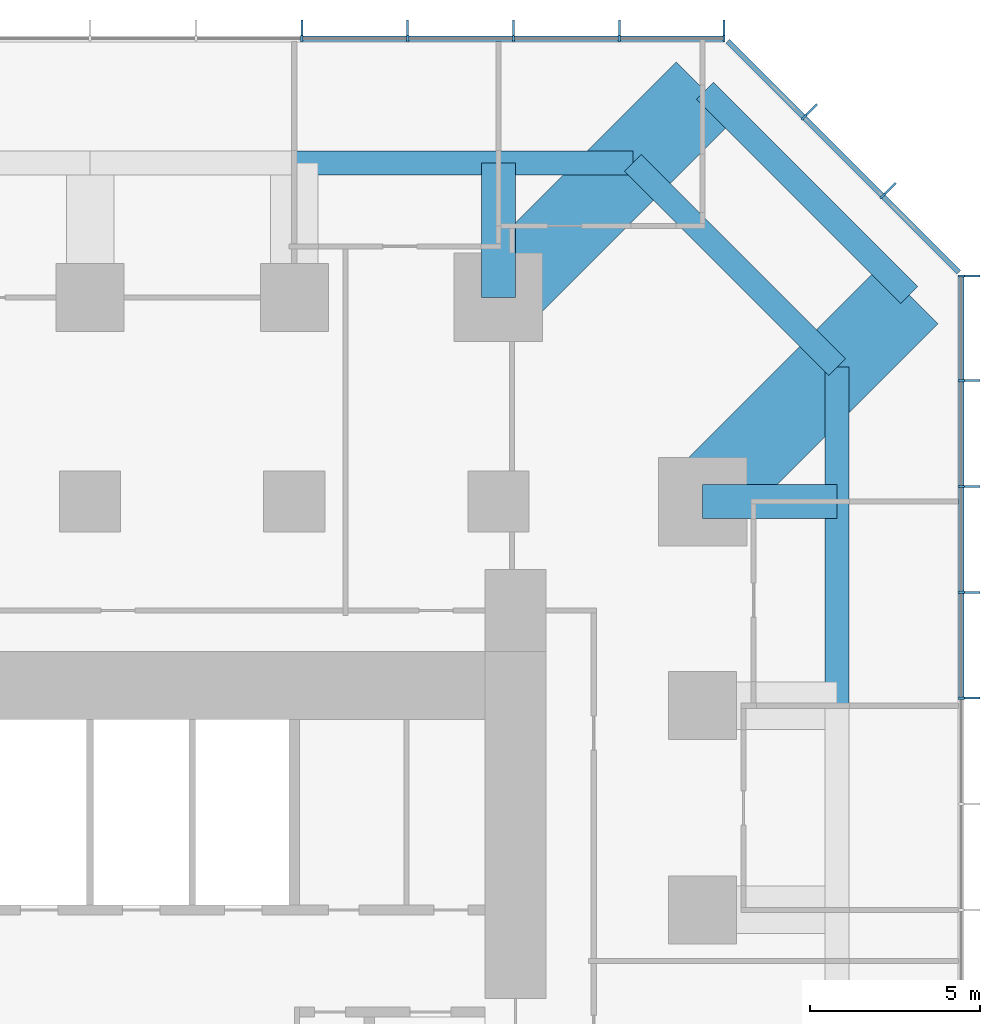
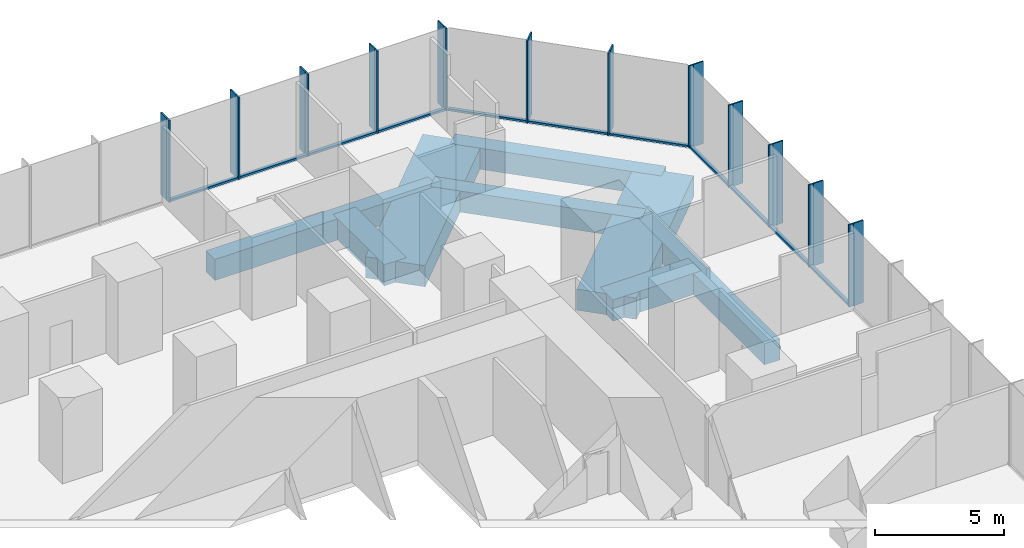
# One storey, part 6 of 12: 35 members, 8 beams, 3 elements without a shape of their own.
"""IFC4 building model written with IfcOpenShell, lengths in metres."""

from ifc_helpers import new_model, si_unit, direction, frame, origin, origin_2d, place, context, subcontext, project, spatial, rectangle, extrude, material, layer, layer_set, material_profile, profile_set, type_object, element, aggregate, save


model = new_model("IFC4")

# Units and contexts
model_context = context("Model", 3, precision=1e-05, world=origin(), true_north=direction((0.0, 1.0)))
body_context = subcontext(model_context, "Body", "Model", "MODEL_VIEW")
ifc_project = project(units=[si_unit("LENGTHUNIT", "METRE"), si_unit("AREAUNIT", "SQUARE_METRE"), si_unit("VOLUMEUNIT", "CUBIC_METRE"), si_unit("PLANEANGLEUNIT", "RADIAN"), si_unit("MASSUNIT", "GRAM", prefix="KILO")], contexts=[model_context])

# Site, building, storey
site_placement = place(None, origin())
site = spatial("IfcSite", under=ifc_project, at=site_placement, CompositionType="ELEMENT")
building_placement = place(site_placement, origin())
building = spatial("IfcBuilding", under=site, at=building_placement, Name="Highveld Stack Headquarters", CompositionType="ELEMENT")
storey_placement = place(building_placement, frame((0.0, 0.0, 72.800048828125)))
storey = spatial("IfcBuildingStorey", under=building, at=storey_placement, Name="L17", CompositionType="ELEMENT", Elevation=72.800048828125)

# Beams
ifc_material_1 = material(Name="Concrete C60/75", Category="concrete")
ifc_material_profile_1 = material_profile(ifc_material_1, rectangle(XDim=1.0, YDim=1.0, at=origin_2d()), Name="RC 1000x1000")
ifc_profile_set_1 = profile_set([ifc_material_profile_1], Name="Concrete C60/75")
beam_type_1 = type_object("IfcBeamType", Name="CANTILEVER RIB RC 1000x1000", PredefinedType="USERDEFINED", material=ifc_profile_set_1)
for number, where, z_axis, x_axis, name in (
    (1, (18.0, 24.0, -0.75), (0.0, 1.0, 0.0), (-1.0, 0.0, 0.0), "Cantilever rib 9/J L17"),
    (2, (24.0, 18.0, -0.75), (1.0, 0.0, 0.0), (0.0, 1.0, 0.0), "Cantilever rib 10/H L17"),
):
    element("IfcBeam", number, at=place(storey_placement, frame(where, z_axis=z_axis, x_axis=x_axis)), inside=storey, type_object=beam_type_1, Name=name, ObjectType="CANTILEVER RIB", PredefinedType="USERDEFINED", context=body_context, shape_type="SweptSolid", body=[
        extrude(rectangle(XDim=1.0, YDim=1.0, at=origin_2d()), origin(), (0.0, 0.0, 1.0), 3.949951171875),
    ])
ifc_material_2 = material(Name="Concrete C60/75", Category="concrete")
ifc_material_profile_2 = material_profile(ifc_material_2, rectangle(XDim=2.39990234375, YDim=1.0, at=origin_2d()), Name="RC 2400x1000")
ifc_profile_set_2 = profile_set([ifc_material_profile_2], Name="Concrete C60/75")
beam_type_2 = type_object("IfcBeamType", Name="CANTILEVER RIB RC 2400x1000", PredefinedType="USERDEFINED", material=ifc_profile_set_2)
for number, where, z_axis, x_axis, name in (
    (3, (18.0, 24.0, -0.75), (0.707106781187, 0.707106781187, 0.0), (-0.707106781187, 0.707106781187, 0.0), "Cantilever rib 9/J L17"),
    (4, (24.0, 18.0, -0.75), (0.707106781187, 0.707106781187, 0.0), (-0.707106781187, 0.707106781187, 0.0), "Cantilever rib 10/H L17"),
):
    element("IfcBeam", number, at=place(storey_placement, frame(where, z_axis=z_axis, x_axis=x_axis)), inside=storey, type_object=beam_type_2, Name=name, ObjectType="CANTILEVER RIB", PredefinedType="USERDEFINED", context=body_context, shape_type="SweptSolid", body=[
        extrude(rectangle(XDim=2.39990234375, YDim=1.0, at=origin_2d()), origin(), (0.0, 0.0, 1.0), 8.585693359375),
    ])

# Curtain wall, members
ifc_material_3 = material(Name="Aluminium bronze anodised", Category="aluminium")
ifc_layer_1 = layer(ifc_material_3, 0.199951171875)
ifc_layer_set_1 = layer_set([ifc_layer_1], Name="Aluminium bronze anodised")
curtain_wall_type_1 = type_object("IfcCurtainWallType", Name="CW1 TOWER UNITISED CURTAIN WALL", PredefinedType="NOTDEFINED", material=ifc_layer_set_1)
curtain_wall_1_placement = place(storey_placement, origin())
curtain_wall_1 = element("IfcCurtainWall", 5, at=curtain_wall_1_placement, inside=storey, type_object=curtain_wall_type_1, Name="Curtain wall CW1 L17 E", PredefinedType="NOTDEFINED")
ifc_material_4 = material(Name="Aluminium bronze anodised", Category="aluminium")
ifc_material_profile_3 = material_profile(ifc_material_4, rectangle(XDim=0.449951171875, YDim=0.06005859375, at=origin_2d()), Name="FIN 450x60")
ifc_profile_set_3 = profile_set([ifc_material_profile_3], Name="Aluminium bronze anodised")
member_type_1 = type_object("IfcMemberType", Name="CW1 BRONZE FIN 450x60", PredefinedType="USERDEFINED", material=ifc_profile_set_3)
member_1_placement = place(storey_placement, frame((31.925048828125, 12.220947265625, 0.0), z_axis=(0.0, 0.0, 1.0), x_axis=(-1.0, 0.0, 0.0)))
member_1 = element("IfcMember", 6, at=member_1_placement, type_object=member_type_1, Name="CW1 fin L17 9", ObjectType="FIN", PredefinedType="USERDEFINED", context=body_context, shape_type="SweptSolid", body=[
    extrude(rectangle(XDim=0.449951171875, YDim=0.06005859375, at=origin_2d()), origin(), (0.0, 0.0, 1.0), 3.89990234375),
])
member_2_placement = place(storey_placement, frame((31.925048828125, 15.331298828125, 0.0), z_axis=(0.0, 0.0, 1.0), x_axis=(-1.0, 0.0, 0.0)))
member_2 = element("IfcMember", 7, at=member_2_placement, type_object=member_type_1, Name="CW1 fin L17 10", ObjectType="FIN", PredefinedType="USERDEFINED", context=body_context, shape_type="SweptSolid", body=[
    extrude(rectangle(XDim=0.449951171875, YDim=0.06005859375, at=origin_2d()), origin(), (0.0, 0.0, 1.0), 3.89990234375),
])
member_3_placement = place(storey_placement, frame((31.925048828125, 18.44189453125, 0.0), z_axis=(0.0, 0.0, 1.0), x_axis=(-1.0, 0.0, 0.0)))
member_3 = element("IfcMember", 8, at=member_3_placement, type_object=member_type_1, Name="CW1 fin L17 11", ObjectType="FIN", PredefinedType="USERDEFINED", context=body_context, shape_type="SweptSolid", body=[
    extrude(rectangle(XDim=0.449951171875, YDim=0.06005859375, at=origin_2d()), origin(), (0.0, 0.0, 1.0), 3.89990234375),
])
member_4_placement = place(storey_placement, frame((31.925048828125, 21.55224609375, 0.0), z_axis=(0.0, 0.0, 1.0), x_axis=(-1.0, 0.0, 0.0)))
member_4 = element("IfcMember", 9, at=member_4_placement, type_object=member_type_1, Name="CW1 fin L17 12", ObjectType="FIN", PredefinedType="USERDEFINED", context=body_context, shape_type="SweptSolid", body=[
    extrude(rectangle(XDim=0.449951171875, YDim=0.06005859375, at=origin_2d()), origin(), (0.0, 0.0, 1.0), 3.89990234375),
])
member_5_placement = place(storey_placement, frame((31.925048828125, 24.630126953125, 0.0), z_axis=(0.0, 0.0, 1.0), x_axis=(-1.0, 0.0, 0.0)))
member_5 = element("IfcMember", 10, at=member_5_placement, type_object=member_type_1, Name="CW1 fin L17 13", ObjectType="FIN", PredefinedType="USERDEFINED", context=body_context, shape_type="SweptSolid", body=[
    extrude(rectangle(XDim=0.449951171875, YDim=0.06005859375, at=origin_2d()), origin(), (0.0, 0.0, 1.0), 3.89990234375),
])

curtain_wall_2_placement = place(storey_placement, origin())
curtain_wall_2 = element("IfcCurtainWall", 11, at=curtain_wall_2_placement, inside=storey, type_object=curtain_wall_type_1, Name="Curtain wall CW1 L17 N", PredefinedType="NOTDEFINED")
member_6_placement = place(storey_placement, frame((24.630126953125, 31.925048828125, 0.0), z_axis=(0.0, 0.0, 1.0), x_axis=(0.0, -1.0, 0.0)))
member_6 = element("IfcMember", 12, at=member_6_placement, type_object=member_type_1, Name="CW1 fin L17 1", ObjectType="FIN", PredefinedType="USERDEFINED", context=body_context, shape_type="SweptSolid", body=[
    extrude(rectangle(XDim=0.449951171875, YDim=0.06005859375, at=origin_2d()), origin(), (0.0, 0.0, 1.0), 3.89990234375),
])
member_7_placement = place(storey_placement, frame((21.55224609375, 31.925048828125, 0.0), z_axis=(0.0, 0.0, 1.0), x_axis=(0.0, -1.0, 0.0)))
member_7 = element("IfcMember", 13, at=member_7_placement, type_object=member_type_1, Name="CW1 fin L17 2", ObjectType="FIN", PredefinedType="USERDEFINED", context=body_context, shape_type="SweptSolid", body=[
    extrude(rectangle(XDim=0.449951171875, YDim=0.06005859375, at=origin_2d()), origin(), (0.0, 0.0, 1.0), 3.89990234375),
])
member_8_placement = place(storey_placement, frame((18.44189453125, 31.925048828125, 0.0), z_axis=(0.0, 0.0, 1.0), x_axis=(0.0, -1.0, 0.0)))
member_8 = element("IfcMember", 14, at=member_8_placement, type_object=member_type_1, Name="CW1 fin L17 3", ObjectType="FIN", PredefinedType="USERDEFINED", context=body_context, shape_type="SweptSolid", body=[
    extrude(rectangle(XDim=0.449951171875, YDim=0.06005859375, at=origin_2d()), origin(), (0.0, 0.0, 1.0), 3.89990234375),
])
member_9_placement = place(storey_placement, frame((15.331298828125, 31.925048828125, 0.0), z_axis=(0.0, 0.0, 1.0), x_axis=(0.0, -1.0, 0.0)))
member_9 = element("IfcMember", 15, at=member_9_placement, type_object=member_type_1, Name="CW1 fin L17 4", ObjectType="FIN", PredefinedType="USERDEFINED", context=body_context, shape_type="SweptSolid", body=[
    extrude(rectangle(XDim=0.449951171875, YDim=0.06005859375, at=origin_2d()), origin(), (0.0, 0.0, 1.0), 3.89990234375),
])
member_10_placement = place(storey_placement, frame((12.220947265625, 31.925048828125, 0.0), z_axis=(0.0, 0.0, 1.0), x_axis=(0.0, -1.0, 0.0)))
member_10 = element("IfcMember", 16, at=member_10_placement, type_object=member_type_1, Name="CW1 fin L17 5", ObjectType="FIN", PredefinedType="USERDEFINED", context=body_context, shape_type="SweptSolid", body=[
    extrude(rectangle(XDim=0.449951171875, YDim=0.06005859375, at=origin_2d()), origin(), (0.0, 0.0, 1.0), 3.89990234375),
])

# Member
ifc_material_5 = material(Name="Aluminium bronze anodised", Category="aluminium")
ifc_material_profile_4 = material_profile(ifc_material_5, rectangle(XDim=0.199951171875, YDim=0.06494140625, at=origin_2d()), Name="CW1 MULLION 65x200")
ifc_profile_set_4 = profile_set([ifc_material_profile_4], Name="Aluminium bronze anodised")
member_type_2 = type_object("IfcMemberType", Name="CW1 MULLION 65x200", PredefinedType="MULLION", material=ifc_profile_set_4)
member_11_placement = place(storey_placement, frame((31.60009765625, 12.220947265625, 0.0), z_axis=(0.0, 0.0, 1.0), x_axis=(-1.0, 0.0, 0.0)))
member_11 = element("IfcMember", 17, at=member_11_placement, type_object=member_type_2, Name="CW1 mullion L17 9", PredefinedType="MULLION", context=body_context, shape_type="SweptSolid", body=[
    extrude(rectangle(XDim=0.199951171875, YDim=0.06494140625, at=origin_2d()), origin(), (0.0, 0.0, 1.0), 3.89990234375),
])

member_12_placement = place(storey_placement, frame((31.60009765625, 15.331298828125, 0.0), z_axis=(0.0, 0.0, 1.0), x_axis=(-1.0, 0.0, 0.0)))
member_12 = element("IfcMember", 18, at=member_12_placement, type_object=member_type_2, Name="CW1 mullion L17 10", PredefinedType="MULLION", context=body_context, shape_type="SweptSolid", body=[
    extrude(rectangle(XDim=0.199951171875, YDim=0.06494140625, at=origin_2d()), origin(), (0.0, 0.0, 1.0), 3.89990234375),
])

member_13_placement = place(storey_placement, frame((31.60009765625, 18.44189453125, 0.0), z_axis=(0.0, 0.0, 1.0), x_axis=(-1.0, 0.0, 0.0)))
member_13 = element("IfcMember", 19, at=member_13_placement, type_object=member_type_2, Name="CW1 mullion L17 11", PredefinedType="MULLION", context=body_context, shape_type="SweptSolid", body=[
    extrude(rectangle(XDim=0.199951171875, YDim=0.06494140625, at=origin_2d()), origin(), (0.0, 0.0, 1.0), 3.89990234375),
])

member_14_placement = place(storey_placement, frame((31.60009765625, 21.55224609375, 0.0), z_axis=(0.0, 0.0, 1.0), x_axis=(-1.0, 0.0, 0.0)))
member_14 = element("IfcMember", 20, at=member_14_placement, type_object=member_type_2, Name="CW1 mullion L17 12", PredefinedType="MULLION", context=body_context, shape_type="SweptSolid", body=[
    extrude(rectangle(XDim=0.199951171875, YDim=0.06494140625, at=origin_2d()), origin(), (0.0, 0.0, 1.0), 3.89990234375),
])

member_15_placement = place(storey_placement, frame((31.60009765625, 24.630126953125, 0.0), z_axis=(0.0, 0.0, 1.0), x_axis=(-1.0, 0.0, 0.0)))
member_15 = element("IfcMember", 21, at=member_15_placement, type_object=member_type_2, Name="CW1 mullion L17 13", PredefinedType="MULLION", context=body_context, shape_type="SweptSolid", body=[
    extrude(rectangle(XDim=0.199951171875, YDim=0.06494140625, at=origin_2d()), origin(), (0.0, 0.0, 1.0), 3.89990234375),
])

member_16_placement = place(storey_placement, frame((24.630126953125, 31.60009765625, 0.0), z_axis=(0.0, 0.0, 1.0), x_axis=(0.0, -1.0, 0.0)))
member_16 = element("IfcMember", 22, at=member_16_placement, type_object=member_type_2, Name="CW1 mullion L17 1", PredefinedType="MULLION", context=body_context, shape_type="SweptSolid", body=[
    extrude(rectangle(XDim=0.199951171875, YDim=0.06494140625, at=origin_2d()), origin(), (0.0, 0.0, 1.0), 3.89990234375),
])

member_17_placement = place(storey_placement, frame((21.55224609375, 31.60009765625, 0.0), z_axis=(0.0, 0.0, 1.0), x_axis=(0.0, -1.0, 0.0)))
member_17 = element("IfcMember", 23, at=member_17_placement, type_object=member_type_2, Name="CW1 mullion L17 2", PredefinedType="MULLION", context=body_context, shape_type="SweptSolid", body=[
    extrude(rectangle(XDim=0.199951171875, YDim=0.06494140625, at=origin_2d()), origin(), (0.0, 0.0, 1.0), 3.89990234375),
])

member_18_placement = place(storey_placement, frame((18.44189453125, 31.60009765625, 0.0), z_axis=(0.0, 0.0, 1.0), x_axis=(0.0, -1.0, 0.0)))
member_18 = element("IfcMember", 24, at=member_18_placement, type_object=member_type_2, Name="CW1 mullion L17 3", PredefinedType="MULLION", context=body_context, shape_type="SweptSolid", body=[
    extrude(rectangle(XDim=0.199951171875, YDim=0.06494140625, at=origin_2d()), origin(), (0.0, 0.0, 1.0), 3.89990234375),
])

member_19_placement = place(storey_placement, frame((15.331298828125, 31.60009765625, 0.0), z_axis=(0.0, 0.0, 1.0), x_axis=(0.0, -1.0, 0.0)))
member_19 = element("IfcMember", 25, at=member_19_placement, type_object=member_type_2, Name="CW1 mullion L17 4", PredefinedType="MULLION", context=body_context, shape_type="SweptSolid", body=[
    extrude(rectangle(XDim=0.199951171875, YDim=0.06494140625, at=origin_2d()), origin(), (0.0, 0.0, 1.0), 3.89990234375),
])

member_20_placement = place(storey_placement, frame((12.220947265625, 31.60009765625, 0.0), z_axis=(0.0, 0.0, 1.0), x_axis=(0.0, -1.0, 0.0)))
member_20 = element("IfcMember", 26, at=member_20_placement, type_object=member_type_2, Name="CW1 mullion L17 5", PredefinedType="MULLION", context=body_context, shape_type="SweptSolid", body=[
    extrude(rectangle(XDim=0.199951171875, YDim=0.06494140625, at=origin_2d()), origin(), (0.0, 0.0, 1.0), 3.89990234375),
])

ifc_material_6 = material(Name="Aluminium bronze anodised", Category="aluminium")
ifc_material_profile_5 = material_profile(ifc_material_6, rectangle(XDim=0.14990234375, YDim=0.10009765625, at=origin_2d()), Name="CW1 TRANSOM 150x100")
ifc_profile_set_5 = profile_set([ifc_material_profile_5], Name="Aluminium bronze anodised")
member_type_3 = type_object("IfcMemberType", Name="CW1 STACK TRANSOM 150x100", PredefinedType="USERDEFINED", material=ifc_profile_set_5)
member_21_placement = place(storey_placement, frame((31.60009765625, 12.25341796875, 0.050048828125), z_axis=(0.0, 1.0, 0.0), x_axis=(-1.0, 0.0, 0.0)))
member_21 = element("IfcMember", 27, at=member_21_placement, type_object=member_type_3, Name="CW1 transom L17 9.1", ObjectType="TRANSOM", PredefinedType="USERDEFINED", context=body_context, shape_type="SweptSolid", body=[
    extrude(rectangle(XDim=0.14990234375, YDim=0.10009765625, at=origin_2d()), origin(), (0.0, 0.0, 1.0), 3.04541015625),
])

member_22_placement = place(storey_placement, frame((31.60009765625, 15.364013671875, 0.050048828125), z_axis=(0.0, 1.0, 0.0), x_axis=(-1.0, 0.0, 0.0)))
member_22 = element("IfcMember", 28, at=member_22_placement, type_object=member_type_3, Name="CW1 transom L17 10.1", ObjectType="TRANSOM", PredefinedType="USERDEFINED", context=body_context, shape_type="SweptSolid", body=[
    extrude(rectangle(XDim=0.14990234375, YDim=0.10009765625, at=origin_2d()), origin(), (0.0, 0.0, 1.0), 3.045166015625),
])

member_23_placement = place(storey_placement, frame((31.60009765625, 18.474365234375, 0.050048828125), z_axis=(0.0, 1.0, 0.0), x_axis=(-1.0, 0.0, 0.0)))
member_23 = element("IfcMember", 29, at=member_23_placement, type_object=member_type_3, Name="CW1 transom L17 11.1", ObjectType="TRANSOM", PredefinedType="USERDEFINED", context=body_context, shape_type="SweptSolid", body=[
    extrude(rectangle(XDim=0.14990234375, YDim=0.10009765625, at=origin_2d()), origin(), (0.0, 0.0, 1.0), 3.04541015625),
])

member_24_placement = place(storey_placement, frame((31.60009765625, 21.584716796875, 0.050048828125), z_axis=(0.0, 1.0, 0.0), x_axis=(-1.0, 0.0, 0.0)))
member_24 = element("IfcMember", 30, at=member_24_placement, type_object=member_type_3, Name="CW1 transom L17 12.1", ObjectType="TRANSOM", PredefinedType="USERDEFINED", context=body_context, shape_type="SweptSolid", body=[
    extrude(rectangle(XDim=0.14990234375, YDim=0.10009765625, at=origin_2d()), origin(), (0.0, 0.0, 1.0), 3.012939453125),
])

aggregate(curtain_wall_1, [member_11, member_1, member_12, member_2, member_13, member_3, member_14, member_4, member_15, member_5, member_21, member_22, member_23, member_24])

member_25_placement = place(storey_placement, frame((24.59765625, 31.60009765625, 0.050048828125), z_axis=(-1.0, 0.0, 0.0), x_axis=(0.0, -1.0, 0.0)))
member_25 = element("IfcMember", 31, at=member_25_placement, type_object=member_type_3, Name="CW1 transom L17 1.1", ObjectType="TRANSOM", PredefinedType="USERDEFINED", context=body_context, shape_type="SweptSolid", body=[
    extrude(rectangle(XDim=0.14990234375, YDim=0.10009765625, at=origin_2d()), origin(), (0.0, 0.0, 1.0), 3.012939453125),
])

member_26_placement = place(storey_placement, frame((21.519775390625, 31.60009765625, 0.050048828125), z_axis=(-1.0, 0.0, 0.0), x_axis=(0.0, -1.0, 0.0)))
member_26 = element("IfcMember", 32, at=member_26_placement, type_object=member_type_3, Name="CW1 transom L17 2.1", ObjectType="TRANSOM", PredefinedType="USERDEFINED", context=body_context, shape_type="SweptSolid", body=[
    extrude(rectangle(XDim=0.14990234375, YDim=0.10009765625, at=origin_2d()), origin(), (0.0, 0.0, 1.0), 3.04541015625),
])

member_27_placement = place(storey_placement, frame((18.4091796875, 31.60009765625, 0.050048828125), z_axis=(-1.0, 0.0, 0.0), x_axis=(0.0, -1.0, 0.0)))
member_27 = element("IfcMember", 33, at=member_27_placement, type_object=member_type_3, Name="CW1 transom L17 3.1", ObjectType="TRANSOM", PredefinedType="USERDEFINED", context=body_context, shape_type="SweptSolid", body=[
    extrude(rectangle(XDim=0.14990234375, YDim=0.10009765625, at=origin_2d()), origin(), (0.0, 0.0, 1.0), 3.045166015625),
])

member_28_placement = place(storey_placement, frame((15.298828125, 31.60009765625, 0.050048828125), z_axis=(-1.0, 0.0, 0.0), x_axis=(0.0, -1.0, 0.0)))
member_28 = element("IfcMember", 34, at=member_28_placement, type_object=member_type_3, Name="CW1 transom L17 4.1", ObjectType="TRANSOM", PredefinedType="USERDEFINED", context=body_context, shape_type="SweptSolid", body=[
    extrude(rectangle(XDim=0.14990234375, YDim=0.10009765625, at=origin_2d()), origin(), (0.0, 0.0, 1.0), 3.04541015625),
])

aggregate(curtain_wall_2, [member_16, member_6, member_17, member_7, member_18, member_8, member_19, member_9, member_20, member_10, member_25, member_26, member_27, member_28])

# Curtain wall, members
ifc_material_7 = material(Name="Aluminium bronze anodised", Category="aluminium")
ifc_layer_2 = layer(ifc_material_7, 0.199951171875)
ifc_layer_set_2 = layer_set([ifc_layer_2], Name="Aluminium bronze anodised")
curtain_wall_type_2 = type_object("IfcCurtainWallType", Name="CW2 TOWER CHAMFER UNITISED CURTAIN WALL", PredefinedType="NOTDEFINED", material=ifc_layer_set_2)
curtain_wall_3_placement = place(storey_placement, origin())
curtain_wall_3 = element("IfcCurtainWall", 35, at=curtain_wall_3_placement, inside=storey, type_object=curtain_wall_type_2, Name="Curtain wall CW2 L17 NE", PredefinedType="NOTDEFINED")
ifc_material_8 = material(Name="Aluminium bronze anodised", Category="aluminium")
ifc_material_profile_6 = material_profile(ifc_material_8, rectangle(XDim=0.449951171875, YDim=0.06005859375, at=origin_2d()), Name="FIN 450x60")
ifc_profile_set_6 = profile_set([ifc_material_profile_6], Name="Aluminium bronze anodised")
member_type_4 = type_object("IfcMemberType", Name="CW2 BRONZE FIN 450x60", PredefinedType="USERDEFINED", material=ifc_profile_set_6)
member_29_placement = place(storey_placement, frame((29.517333984375, 27.204833984375, 0.0), z_axis=(0.0, 0.0, 1.0), x_axis=(-0.707106781187, -0.707106781187, 0.0)))
member_29 = element("IfcMember", 36, at=member_29_placement, type_object=member_type_4, Name="CW2 fin L17 1", ObjectType="FIN", PredefinedType="USERDEFINED", context=body_context, shape_type="SweptSolid", body=[
    extrude(rectangle(XDim=0.449951171875, YDim=0.06005859375, at=origin_2d()), origin(), (0.0, 0.0, 1.0), 3.89990234375),
])
member_30_placement = place(storey_placement, frame((27.204833984375, 29.517333984375, 0.0), z_axis=(0.0, 0.0, 1.0), x_axis=(-0.707106781187, -0.707106781187, 0.0)))
member_30 = element("IfcMember", 37, at=member_30_placement, type_object=member_type_4, Name="CW2 fin L17 2", ObjectType="FIN", PredefinedType="USERDEFINED", context=body_context, shape_type="SweptSolid", body=[
    extrude(rectangle(XDim=0.449951171875, YDim=0.06005859375, at=origin_2d()), origin(), (0.0, 0.0, 1.0), 3.89990234375),
])
ifc_material_9 = material(Name="Aluminium bronze anodised", Category="aluminium")
ifc_material_profile_7 = material_profile(ifc_material_9, rectangle(XDim=0.199951171875, YDim=0.06494140625, at=origin_2d()), Name="CW2 MULLION 65x200")
ifc_profile_set_7 = profile_set([ifc_material_profile_7], Name="Aluminium bronze anodised")
member_type_5 = type_object("IfcMemberType", Name="CW2 MULLION 65x200", PredefinedType="MULLION", material=ifc_profile_set_7)
member_31_placement = place(storey_placement, frame((29.28759765625, 26.97509765625, 0.0), z_axis=(0.0, 0.0, 1.0), x_axis=(-0.707106781187, -0.707106781187, 0.0)))
member_31 = element("IfcMember", 38, at=member_31_placement, type_object=member_type_5, Name="CW2 mullion L17 1", PredefinedType="MULLION", context=body_context, shape_type="SweptSolid", body=[
    extrude(rectangle(XDim=0.199951171875, YDim=0.06494140625, at=origin_2d()), origin(), (0.0, 0.0, 1.0), 3.89990234375),
])
member_32_placement = place(storey_placement, frame((26.97509765625, 29.28759765625, 0.0), z_axis=(0.0, 0.0, 1.0), x_axis=(-0.707106781187, -0.707106781187, 0.0)))
member_32 = element("IfcMember", 39, at=member_32_placement, type_object=member_type_5, Name="CW2 mullion L17 2", PredefinedType="MULLION", context=body_context, shape_type="SweptSolid", body=[
    extrude(rectangle(XDim=0.199951171875, YDim=0.06494140625, at=origin_2d()), origin(), (0.0, 0.0, 1.0), 3.89990234375),
])
ifc_material_10 = material(Name="Aluminium bronze anodised", Category="aluminium")
ifc_material_profile_8 = material_profile(ifc_material_10, rectangle(XDim=0.14990234375, YDim=0.10009765625, at=origin_2d()), Name="CW2 TRANSOM 150x100")
ifc_profile_set_8 = profile_set([ifc_material_profile_8], Name="Aluminium bronze anodised")
member_type_6 = type_object("IfcMemberType", Name="CW2 STACK TRANSOM 150x100", PredefinedType="USERDEFINED", material=ifc_profile_set_8)
member_33_placement = place(storey_placement, frame((31.529296875, 24.7333984375, 0.050048828125), z_axis=(-0.707106781187, 0.707106781187, 0.0), x_axis=(-0.707106781187, -0.707106781187, 0.0)))
member_33 = element("IfcMember", 40, at=member_33_placement, type_object=member_type_6, Name="CW2 transom L17 1.1", ObjectType="TRANSOM", PredefinedType="USERDEFINED", context=body_context, shape_type="SweptSolid", body=[
    extrude(rectangle(XDim=0.14990234375, YDim=0.10009765625, at=origin_2d()), origin(), (0.0, 0.0, 1.0), 3.1376953125),
])
member_34_placement = place(storey_placement, frame((29.2646484375, 26.998046875, 0.050048828125), z_axis=(-0.707106781187, 0.707106781187, 0.0), x_axis=(-0.707106781187, -0.707106781187, 0.0)))
member_34 = element("IfcMember", 41, at=member_34_placement, type_object=member_type_6, Name="CW2 transom L17 2.1", ObjectType="TRANSOM", PredefinedType="USERDEFINED", context=body_context, shape_type="SweptSolid", body=[
    extrude(rectangle(XDim=0.14990234375, YDim=0.10009765625, at=origin_2d()), origin(), (0.0, 0.0, 1.0), 3.20556640625),
])
member_35_placement = place(storey_placement, frame((26.9521484375, 29.310546875, 0.050048828125), z_axis=(-0.707106781187, 0.707106781187, 0.0), x_axis=(-0.707106781187, -0.707106781187, 0.0)))
member_35 = element("IfcMember", 42, at=member_35_placement, type_object=member_type_6, Name="CW2 transom L17 3.1", ObjectType="TRANSOM", PredefinedType="USERDEFINED", context=body_context, shape_type="SweptSolid", body=[
    extrude(rectangle(XDim=0.14990234375, YDim=0.10009765625, at=origin_2d()), origin(), (0.0, 0.0, 1.0), 3.1376953125),
])
aggregate(curtain_wall_3, [member_31, member_29, member_32, member_30, member_33, member_34, member_35])

# Beams
ifc_material_11 = material(Name="Concrete C60/75", Category="concrete")
ifc_material_profile_9 = material_profile(ifc_material_11, rectangle(XDim=0.699951171875, YDim=1.0, at=origin_2d()), Name="RC 700x1000")
ifc_profile_set_9 = profile_set([ifc_material_profile_9], Name="Concrete C60/75")
beam_type_3 = type_object("IfcBeamType", Name="RIB TIP BEAM RC 700x1000", PredefinedType="SPANDREL", material=ifc_profile_set_9)
for number, where, z_axis, x_axis, name in (
    (43, (27.949951171875, 12.0, -0.75), (0.0, 1.0, 0.0), (-1.0, 0.0, 0.0), "Rib tip beam 10/G to 10/H L17"),
    (44, (12.0, 27.949951171875, -0.75), (1.0, 0.0, 0.0), (0.0, 1.0, 0.0), "Rib tip beam 8/J to 9/J L17"),
):
    element("IfcBeam", number, at=place(storey_placement, frame(where, z_axis=z_axis, x_axis=x_axis)), inside=storey, type_object=beam_type_3, Name=name, PredefinedType="SPANDREL", context=body_context, shape_type="SweptSolid", body=[
        extrude(rectangle(XDim=0.699951171875, YDim=1.0, at=origin_2d()), origin(), (0.0, 0.0, 1.0), 9.949951171875),
    ])
for number, where, z_axis, x_axis, name in (
    (45, (21.949951171875, 27.949951171875, -0.75), (0.707106781187, -0.707106781187, 0.0), (0.707106781187, 0.707106781187, 0.0), "Rib tip beam 9/J to 10/H chamfer L17"),
    (46, (24.071044921875, 30.071044921875, -0.75), (0.707106781187, -0.707106781187, 0.0), (0.707106781187, 0.707106781187, 0.0), "Rib tip beam 9/J to 10/H chamfer edge L17"),
):
    element("IfcBeam", number, at=place(storey_placement, frame(where, z_axis=z_axis, x_axis=x_axis)), inside=storey, type_object=beam_type_3, Name=name, PredefinedType="SPANDREL", context=body_context, shape_type="SweptSolid", body=[
        extrude(rectangle(XDim=0.699951171875, YDim=1.0, at=origin_2d()), origin(), (0.0, 0.0, 1.0), 8.4853515625),
    ])

save(model, "model.ifc")
